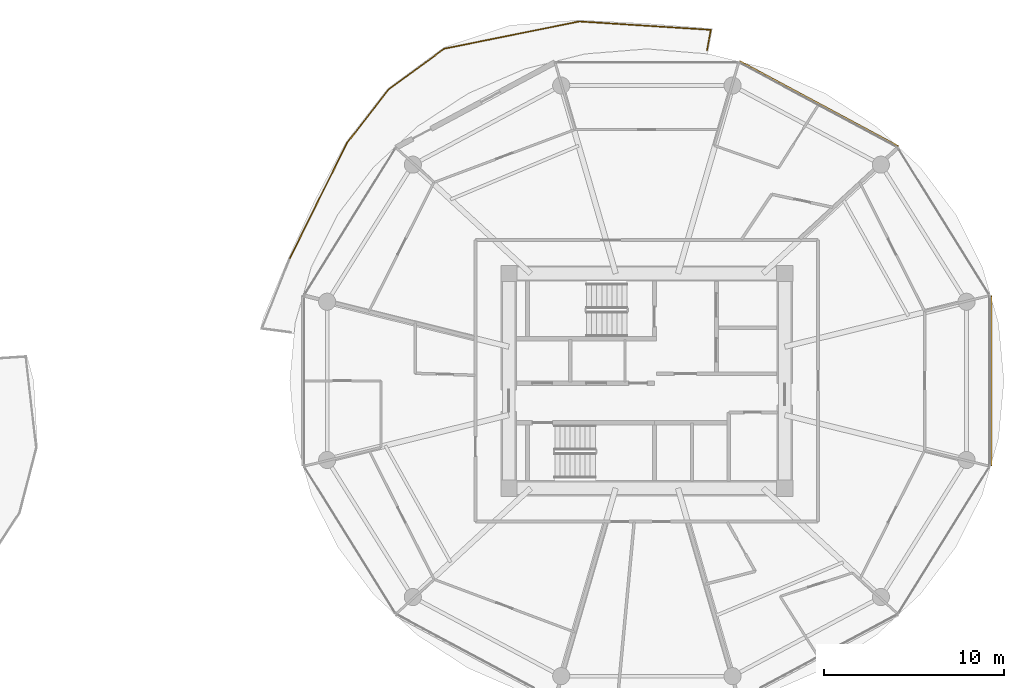
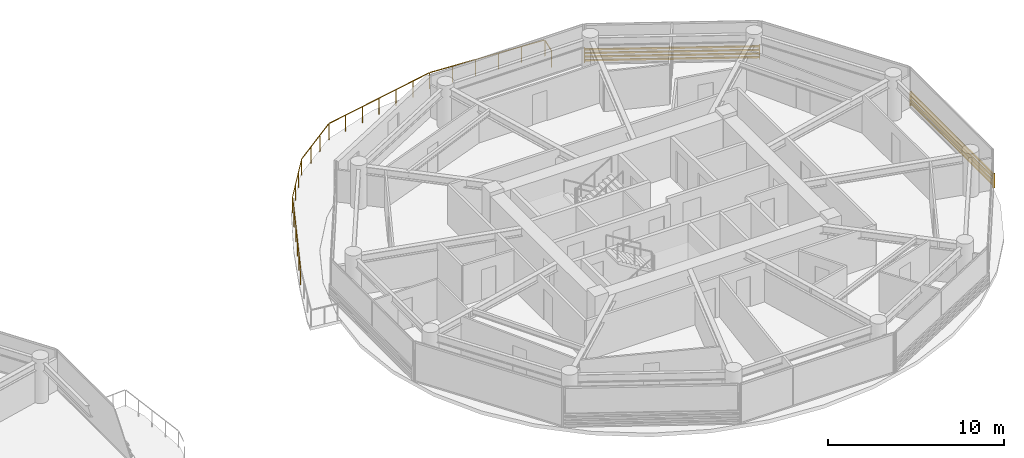
# One storey, part 26 of 26: 2 shading devices, 1 railing.
"""IFC4 building model written with IfcOpenShell, lengths in metres."""

from ifc_helpers import new_model, si_unit, direction, frame, origin, origin_2d, place, context, subcontext, project, spatial, rectangle, extrude, source, transform, mapped, material, type_object, type_shapes, element, save


model = new_model("IFC4")

# Units and contexts
model_context = context("Model", 3, precision=1e-05, world=origin(), true_north=direction((0.0, 1.0)))
body_context = subcontext(model_context, "Body", "Model", "MODEL_VIEW")
ifc_project = project(units=[si_unit("LENGTHUNIT", "METRE"), si_unit("AREAUNIT", "SQUARE_METRE"), si_unit("VOLUMEUNIT", "CUBIC_METRE"), si_unit("PLANEANGLEUNIT", "RADIAN"), si_unit("MASSUNIT", "GRAM", prefix="KILO")], contexts=[model_context])

# Site, building, storey
site_placement = place(None, origin())
site = spatial("IfcSite", under=ifc_project, at=site_placement, CompositionType="ELEMENT")
building_placement = place(site_placement, origin())
building = spatial("IfcBuilding", under=site, at=building_placement, Name="Norrkilde Senior Care Towers", CompositionType="ELEMENT")
storey_placement = place(building_placement, frame((0.0, 0.0, 64.300048828125)))
storey = spatial("IfcBuildingStorey", under=building, at=storey_placement, Name="L19", CompositionType="ELEMENT", Elevation=64.300048828125)

# Railing
ifc_material_1 = material(Name="Anodised Aluminium", Category="aluminium")
railing_type = type_object("IfcRailingType", Name="Balcony Swirl Ribbon Guardrail 1150", PredefinedType="GUARDRAIL", material=ifc_material_1)
railing_placement = place(storey_placement, frame((8.18896484375, 6.76171875, 0.0)))
element("IfcRailing", 1, at=railing_placement, inside=storey, type_object=railing_type, Name="L19 Perimeter Safety Guard 01", PredefinedType="GUARDRAIL", context=body_context, shape_type="SweptSolid", body=[
    extrude(rectangle(XDim=0.048095703125, YDim=0.048095703125, at=origin_2d()), frame((0.0, 0.0, 1.1259765625), z_axis=(0.443701231297, 0.89617476942, 0.0), x_axis=(-0.89617476942, 0.443701231297, 0.0)), (0.0, 0.0, 1.0), 7.111572265625),
    extrude(rectangle(XDim=0.048095703125, YDim=0.048095703125, at=origin_2d()), frame((3.19873046875, 6.442138671875, 1.1259765625), z_axis=(0.613712279286, 0.789529757674, 0.0), x_axis=(-0.789529757674, 0.613712279286, 0.0)), (0.0, 0.0, 1.0), 3.69384765625),
    extrude(rectangle(XDim=0.048095703125, YDim=0.048095703125, at=origin_2d()), frame((5.523681640625, 9.4150390625, 1.1259765625), z_axis=(0.806759670863, 0.590879711506, 0.0), x_axis=(-0.590879711506, 0.806759670863, 0.0)), (0.0, 0.0, 1.0), 3.746337890625),
    extrude(rectangle(XDim=0.048095703125, YDim=0.048095703125, at=origin_2d()), frame((8.619140625, 11.660888671875, 1.1259765625), z_axis=(0.980205101834, 0.197984742691, 0.0), x_axis=(-0.197984742691, 0.980205101834, 0.0)), (0.0, 0.0, 1.0), 7.554931640625),
    extrude(rectangle(XDim=0.048095703125, YDim=0.048095703125, at=origin_2d()), frame((16.10546875, 13.162109375, 1.1259765625), z_axis=(0.997955731057, -0.063908988803, 0.0), x_axis=(0.063908988803, 0.997955731057, 0.0)), (0.0, 0.0, 1.0), 7.22607421875),
    extrude(rectangle(XDim=0.048095703125, YDim=0.048095703125, at=origin_2d()), frame((23.35009765625, 12.657470703125, 1.1259765625), z_axis=(-0.183255078391, -0.983065397745, 0.0), x_axis=(0.983065397745, -0.183255078391, 0.0)), (0.0, 0.0, 1.0), 1.12890625),
    extrude(rectangle(XDim=0.0419921875, YDim=0.0419921875, at=origin_2d()), origin(), (0.0, 0.0, 1.0), 1.099853515625),
    extrude(rectangle(XDim=0.0419921875, YDim=0.0419921875, at=origin_2d()), frame((0.634765625, 1.281982421875, 0.0)), (0.0, 0.0, 1.0), 1.099853515625),
    extrude(rectangle(XDim=0.0419921875, YDim=0.0419921875, at=origin_2d()), frame((1.26953125, 2.56396484375, 0.0)), (0.0, 0.0, 1.0), 1.099853515625),
    extrude(rectangle(XDim=0.0419921875, YDim=0.0419921875, at=origin_2d()), frame((1.904052734375, 3.845947265625, 0.0)), (0.0, 0.0, 1.0), 1.099853515625),
    extrude(rectangle(XDim=0.0419921875, YDim=0.0419921875, at=origin_2d()), frame((2.538818359375, 5.1279296875, 0.0)), (0.0, 0.0, 1.0), 1.099853515625),
    extrude(rectangle(XDim=0.0419921875, YDim=0.0419921875, at=origin_2d()), frame((3.173583984375, 6.409912109375, 0.0)), (0.0, 0.0, 1.0), 1.099853515625),
    extrude(rectangle(XDim=0.0419921875, YDim=0.0419921875, at=origin_2d()), frame((3.946044921875, 7.403564453125, 0.0)), (0.0, 0.0, 1.0), 1.099853515625),
    extrude(rectangle(XDim=0.0419921875, YDim=0.0419921875, at=origin_2d()), frame((4.71826171875, 8.397216796875, 0.0)), (0.0, 0.0, 1.0), 1.099853515625),
    extrude(rectangle(XDim=0.0419921875, YDim=0.0419921875, at=origin_2d()), frame((5.49072265625, 9.390869140625, 0.0)), (0.0, 0.0, 1.0), 1.099853515625),
    extrude(rectangle(XDim=0.0419921875, YDim=0.0419921875, at=origin_2d()), frame((6.520263671875, 10.144775390625, 0.0)), (0.0, 0.0, 1.0), 1.099853515625),
    extrude(rectangle(XDim=0.0419921875, YDim=0.0419921875, at=origin_2d()), frame((7.549560546875, 10.89892578125, 0.0)), (0.0, 0.0, 1.0), 1.099853515625),
    extrude(rectangle(XDim=0.0419921875, YDim=0.0419921875, at=origin_2d()), frame((8.5791015625, 11.65283203125, 0.0)), (0.0, 0.0, 1.0), 1.099853515625),
    extrude(rectangle(XDim=0.0419921875, YDim=0.0419921875, at=origin_2d()), frame((9.82666015625, 11.90478515625, 0.0)), (0.0, 0.0, 1.0), 1.099853515625),
    extrude(rectangle(XDim=0.0419921875, YDim=0.0419921875, at=origin_2d()), frame((11.07421875, 12.15673828125, 0.0)), (0.0, 0.0, 1.0), 1.099853515625),
    extrude(rectangle(XDim=0.0419921875, YDim=0.0419921875, at=origin_2d()), frame((12.32177734375, 12.40869140625, 0.0)), (0.0, 0.0, 1.0), 1.099853515625),
    extrude(rectangle(XDim=0.0419921875, YDim=0.0419921875, at=origin_2d()), frame((13.569580078125, 12.660888671875, 0.0)), (0.0, 0.0, 1.0), 1.099853515625),
    extrude(rectangle(XDim=0.0419921875, YDim=0.0419921875, at=origin_2d()), frame((14.817138671875, 12.912841796875, 0.0)), (0.0, 0.0, 1.0), 1.099853515625),
    extrude(rectangle(XDim=0.0419921875, YDim=0.0419921875, at=origin_2d()), frame((16.064697265625, 13.164794921875, 0.0)), (0.0, 0.0, 1.0), 1.099853515625),
    extrude(rectangle(XDim=0.0419921875, YDim=0.0419921875, at=origin_2d()), frame((17.523193359375, 13.0712890625, 0.0)), (0.0, 0.0, 1.0), 1.099853515625),
    extrude(rectangle(XDim=0.0419921875, YDim=0.0419921875, at=origin_2d()), frame((18.98193359375, 12.97802734375, 0.0)), (0.0, 0.0, 1.0), 1.099853515625),
    extrude(rectangle(XDim=0.0419921875, YDim=0.0419921875, at=origin_2d()), frame((20.4404296875, 12.884521484375, 0.0)), (0.0, 0.0, 1.0), 1.099853515625),
    extrude(rectangle(XDim=0.0419921875, YDim=0.0419921875, at=origin_2d()), frame((21.899169921875, 12.791259765625, 0.0)), (0.0, 0.0, 1.0), 1.099853515625),
    extrude(rectangle(XDim=0.0419921875, YDim=0.0419921875, at=origin_2d()), frame((23.357666015625, 12.69775390625, 0.0)), (0.0, 0.0, 1.0), 1.099853515625),
    extrude(rectangle(XDim=0.0419921875, YDim=0.0419921875, at=origin_2d()), frame((23.143310546875, 11.5478515625, 0.0)), (0.0, 0.0, 1.0), 1.099853515625),
])

# Shading devices
ifc_material_2 = material(Name="Architectural Terracotta", Category="masonry")
shading_device_type = type_object("IfcShadingDeviceType", Name="Horizontal Terracotta Baguette Rack", PredefinedType="USERDEFINED", material=ifc_material_2)
shared_shape_1 = source(origin(), body_context, "Body", "SweptSolid", [
    extrude(rectangle(XDim=0.070068359375, YDim=0.110107421875, at=origin_2d()), frame((0.0, 0.090087890625, 0.125), z_axis=(1.0, 0.0, 0.0), x_axis=(0.0, 1.0, 0.0)), (0.0, 0.0, 1.0), 10.0107421875),
    extrude(rectangle(XDim=0.070068359375, YDim=0.110107421875, at=origin_2d()), frame((0.0, 0.090087890625, 0.375), z_axis=(1.0, 0.0, 0.0), x_axis=(0.0, 1.0, 0.0)), (0.0, 0.0, 1.0), 10.0107421875),
    extrude(rectangle(XDim=0.070068359375, YDim=0.110107421875, at=origin_2d()), frame((0.0, 0.090087890625, 0.625), z_axis=(1.0, 0.0, 0.0), x_axis=(0.0, 1.0, 0.0)), (0.0, 0.0, 1.0), 10.0107421875),
    extrude(rectangle(XDim=0.070068359375, YDim=0.110107421875, at=origin_2d()), frame((0.0, 0.090087890625, 0.875), z_axis=(1.0, 0.0, 0.0), x_axis=(0.0, 1.0, 0.0)), (0.0, 0.0, 1.0), 10.0107421875),
    extrude(rectangle(XDim=0.050048828125, YDim=0.1552734375, at=origin_2d()), frame((0.02490234375, 0.047607421875, 0.0)), (0.0, 0.0, 1.0), 1.0),
    extrude(rectangle(XDim=0.050048828125, YDim=0.1552734375, at=origin_2d()), frame((9.98583984375, 0.047607421875, 0.0)), (0.0, 0.0, 1.0), 1.0),
])
shading_device_1_placement = place(storey_placement, frame((33.093505859375, 17.6572265625, 0.079833984375), z_axis=(0.0, 0.0, 1.0), x_axis=(0.881279875134, -0.472612428056, 0.0)))
element("IfcShadingDevice", 2, at=shading_device_1_placement, inside=storey, type_object=shading_device_type, Name="L19 Drum E Terracotta Baguette Screen 01", ObjectType="BAGUETTE", PredefinedType="USERDEFINED", context=body_context, shape_type="MappedRepresentation", body=[
    mapped(shared_shape_1, transform((0.0, 0.0, 0.0), x_axis=(1.0, 0.0, 0.0), y_axis=(0.0, 1.0, 0.0), z_axis=(0.0, 0.0, 1.0), scale=1.0)),
])
shared_shape_2 = source(origin(), body_context, "Body", "SweptSolid", [
    extrude(rectangle(XDim=0.070068359375, YDim=0.110107421875, at=origin_2d()), frame((0.0, 0.090087890625, 0.125), z_axis=(1.0, 0.0, 0.0), x_axis=(0.0, 1.0, 0.0)), (0.0, 0.0, 1.0), 9.46240234375),
    extrude(rectangle(XDim=0.070068359375, YDim=0.110107421875, at=origin_2d()), frame((0.0, 0.090087890625, 0.375), z_axis=(1.0, 0.0, 0.0), x_axis=(0.0, 1.0, 0.0)), (0.0, 0.0, 1.0), 9.46240234375),
    extrude(rectangle(XDim=0.070068359375, YDim=0.110107421875, at=origin_2d()), frame((0.0, 0.090087890625, 0.625), z_axis=(1.0, 0.0, 0.0), x_axis=(0.0, 1.0, 0.0)), (0.0, 0.0, 1.0), 9.46240234375),
    extrude(rectangle(XDim=0.070068359375, YDim=0.110107421875, at=origin_2d()), frame((0.0, 0.090087890625, 0.875), z_axis=(1.0, 0.0, 0.0), x_axis=(0.0, 1.0, 0.0)), (0.0, 0.0, 1.0), 9.46240234375),
    extrude(rectangle(XDim=0.050048828125, YDim=0.1552734375, at=origin_2d()), frame((0.02490234375, 0.047607421875, 0.0)), (0.0, 0.0, 1.0), 1.0),
    extrude(rectangle(XDim=0.050048828125, YDim=0.1552734375, at=origin_2d()), frame((9.4375, 0.047607421875, 0.0)), (0.0, 0.0, 1.0), 1.0),
])
type_shapes(shading_device_type, [shared_shape_1, shared_shape_2])
shading_device_2_placement = place(storey_placement, frame((47.009521484375, 4.731201171875, 0.079833984375), z_axis=(0.0, 0.0, 1.0), x_axis=(0.0, -1.0, 0.0)))
element("IfcShadingDevice", 3, at=shading_device_2_placement, inside=storey, type_object=shading_device_type, Name="L19 Drum E Terracotta Baguette Screen 11", ObjectType="BAGUETTE", PredefinedType="USERDEFINED", context=body_context, shape_type="MappedRepresentation", body=[
    mapped(shared_shape_2, transform((0.0, 0.0, 0.0), x_axis=(1.0, 0.0, 0.0), y_axis=(0.0, 1.0, 0.0), z_axis=(0.0, 0.0, 1.0), scale=1.0)),
])

save(model, "model.ifc")
